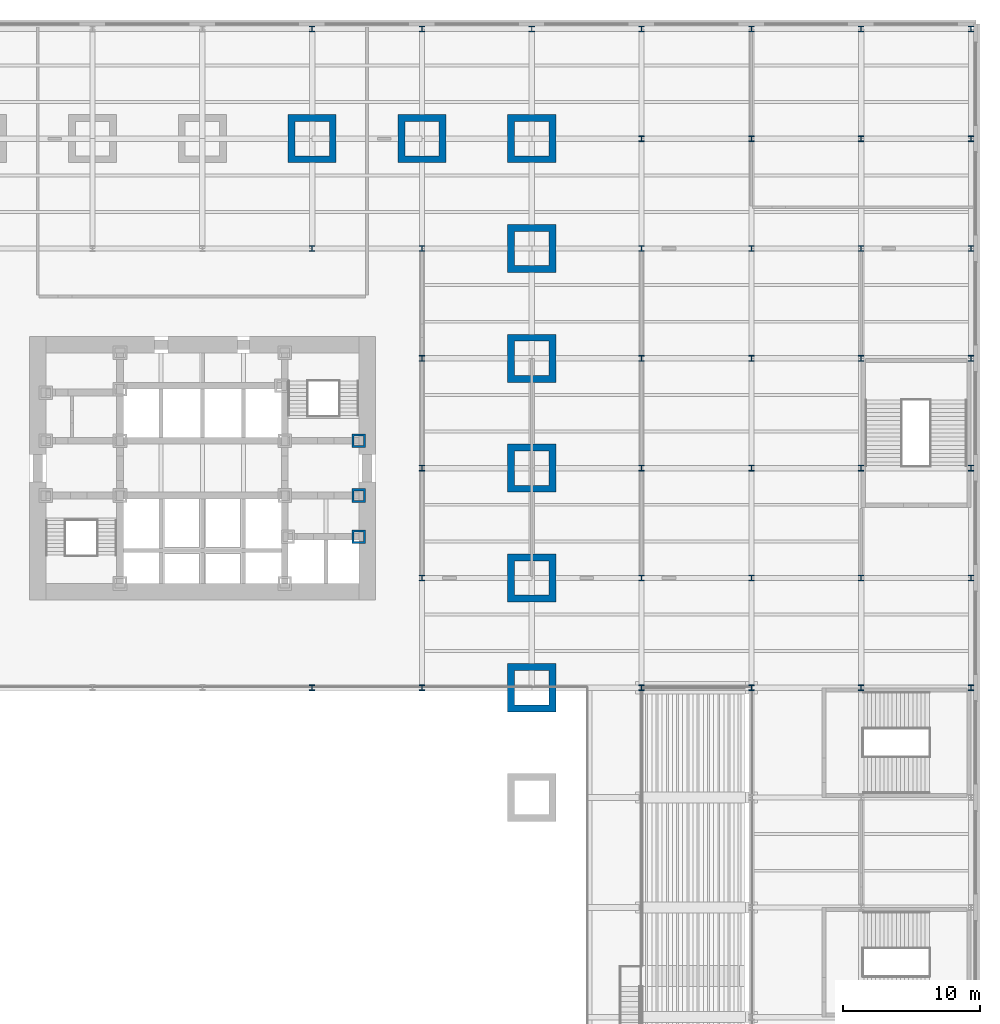
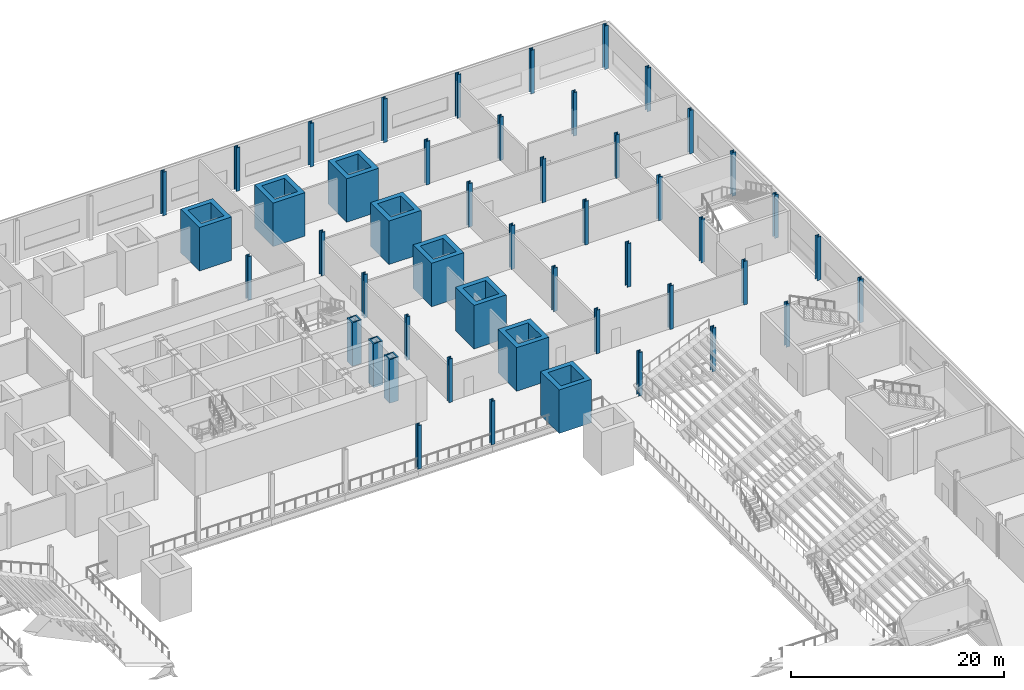
# One storey, part 6 of 27: 49 columns.
"""IFC4 building model written with IfcOpenShell, lengths in metres."""

from ifc_helpers import new_model, si_unit, direction, frame, origin, origin_2d, place, context, subcontext, project, spatial, hollow_rectangle, i_section, extrude, material, material_profile, profile_set, type_object, element, save


model = new_model("IFC4")

# Units and contexts
model_context = context("Model", 3, precision=1e-05, world=origin(), true_north=direction((0.0, 1.0)))
body_context = subcontext(model_context, "Body", "Model", "MODEL_VIEW")
ifc_project = project(units=[si_unit("LENGTHUNIT", "METRE"), si_unit("AREAUNIT", "SQUARE_METRE"), si_unit("VOLUMEUNIT", "CUBIC_METRE"), si_unit("PLANEANGLEUNIT", "RADIAN"), si_unit("MASSUNIT", "GRAM", prefix="KILO")], contexts=[model_context])

# Site, building, storey
site_placement = place(None, origin())
site = spatial("IfcSite", under=ifc_project, at=site_placement, CompositionType="ELEMENT")
building_placement = place(site_placement, origin())
building = spatial("IfcBuilding", under=site, at=building_placement, Name="Daluyong Arena Tower", CompositionType="ELEMENT")
storey_placement = place(building_placement, frame((0.0, 0.0, 14.89990234375)))
storey = spatial("IfcBuildingStorey", under=building, at=storey_placement, Name="L03", CompositionType="ELEMENT", Elevation=14.89990234375)

# Columns
ifc_material_1 = material(Name="Steel ASTM A588 Grade 50", Category="steel")
ifc_material_profile_1 = material_profile(ifc_material_1, hollow_rectangle(XDim=1.0, YDim=1.0, WallThickness=0.15, at=origin_2d()))
ifc_profile_set_1 = profile_set([ifc_material_profile_1], Name="Steel ASTM A588 Grade 50")
column_type_1 = type_object("IfcColumnType", Name="Core boundary column BX1000X150", PredefinedType="COLUMN", material=ifc_profile_set_1)
for number, where, z_axis, x_axis, name in (
    (1, (67.39990234375, 75.0, 0.0), (0.0, 0.0, 1.0), (1.0, 0.0, 0.0), "core boundary column BC1"),
    (2, (67.39990234375, 78.0, 0.0), (0.0, 0.0, 1.0), (1.0, 0.0, 0.0), "core boundary column BC1"),
    (3, (67.39990234375, 82.0, 0.0), (0.0, 0.0, 1.0), (1.0, 0.0, 0.0), "core boundary column BC1"),
):
    element("IfcColumn", number, at=place(storey_placement, frame(where, z_axis=z_axis, x_axis=x_axis)), inside=storey, type_object=column_type_1, Name=name, PredefinedType="COLUMN", context=body_context, shape_type="SweptSolid", body=[
        extrude(hollow_rectangle(XDim=1.0, YDim=1.0, WallThickness=0.15, at=origin_2d()), origin(), (0.0, 0.0, 1.0), 5.0),
    ])
ifc_material_2 = material(Name="Steel ASTM A992 Grade 50", Category="steel")
ifc_material_profile_2 = material_profile(ifc_material_2, i_section(OverallWidth=0.406494140625, OverallDepth=0.41650390625, WebThickness=0.030029296875, FlangeThickness=0.048095703125, at=origin_2d()))
ifc_profile_set_2 = profile_set([ifc_material_profile_2], Name="Steel ASTM A992 Grade 50")
column_type_2 = type_object("IfcColumnType", Name="Podium column W14X257", PredefinedType="COLUMN", material=ifc_profile_set_2)
for number, where, z_axis, x_axis, name in (
    (4, (64.0, 64.0, 0.0), (0.0, 0.0, 1.0), (1.0, 0.0, 0.0), "podium column PC2"),
    (5, (64.0, 96.0, 0.0), (0.0, 0.0, 1.0), (1.0, 0.0, 0.0), "podium column PC2"),
    (6, (64.0, 112.0, 0.0), (0.0, 0.0, 1.0), (1.0, 0.0, 0.0), "podium column PC2"),
    (7, (72.0, 64.0, 0.0), (0.0, 0.0, 1.0), (1.0, 0.0, 0.0), "podium column PC2"),
    (8, (72.0, 72.0, 0.0), (0.0, 0.0, 1.0), (1.0, 0.0, 0.0), "podium column PC2"),
    (9, (72.0, 80.0, 0.0), (0.0, 0.0, 1.0), (1.0, 0.0, 0.0), "podium column PC2"),
    (10, (72.0, 88.0, 0.0), (0.0, 0.0, 1.0), (1.0, 0.0, 0.0), "podium column PC2"),
    (11, (72.0, 96.0, 0.0), (0.0, 0.0, 1.0), (1.0, 0.0, 0.0), "podium column PC2"),
    (12, (72.0, 112.0, 0.0), (0.0, 0.0, 1.0), (1.0, 0.0, 0.0), "podium column PC2"),
    (13, (80.0, 112.0, 0.0), (0.0, 0.0, 1.0), (1.0, 0.0, 0.0), "podium column PC2"),
    (14, (88.0, 64.0, 0.0), (0.0, 0.0, 1.0), (1.0, 0.0, 0.0), "podium column PC2"),
    (15, (88.0, 72.0, 0.0), (0.0, 0.0, 1.0), (1.0, 0.0, 0.0), "podium column PC2"),
    (16, (88.0, 80.0, 0.0), (0.0, 0.0, 1.0), (1.0, 0.0, 0.0), "podium column PC2"),
    (17, (88.0, 88.0, 0.0), (0.0, 0.0, 1.0), (1.0, 0.0, 0.0), "podium column PC2"),
    (18, (88.0, 96.0, 0.0), (0.0, 0.0, 1.0), (1.0, 0.0, 0.0), "podium column PC2"),
    (19, (88.0, 104.0, 0.0), (0.0, 0.0, 1.0), (1.0, 0.0, 0.0), "podium column PC2"),
    (20, (88.0, 112.0, 0.0), (0.0, 0.0, 1.0), (1.0, 0.0, 0.0), "podium column PC2"),
    (21, (96.0, 64.0, 0.0), (0.0, 0.0, 1.0), (1.0, 0.0, 0.0), "podium column PC2"),
    (22, (96.0, 72.0, 0.0), (0.0, 0.0, 1.0), (1.0, 0.0, 0.0), "podium column PC2"),
    (23, (96.0, 80.0, 0.0), (0.0, 0.0, 1.0), (1.0, 0.0, 0.0), "podium column PC2"),
    (24, (96.0, 88.0, 0.0), (0.0, 0.0, 1.0), (1.0, 0.0, 0.0), "podium column PC2"),
    (25, (96.0, 96.0, 0.0), (0.0, 0.0, 1.0), (1.0, 0.0, 0.0), "podium column PC2"),
    (26, (96.0, 104.0, 0.0), (0.0, 0.0, 1.0), (1.0, 0.0, 0.0), "podium column PC2"),
    (27, (96.0, 112.0, 0.0), (0.0, 0.0, 1.0), (1.0, 0.0, 0.0), "podium column PC2"),
    (28, (104.0, 64.0, 0.0), (0.0, 0.0, 1.0), (1.0, 0.0, 0.0), "podium column PC2"),
    (29, (104.0, 72.0, 0.0), (0.0, 0.0, 1.0), (1.0, 0.0, 0.0), "podium column PC2"),
    (30, (104.0, 80.0, 0.0), (0.0, 0.0, 1.0), (1.0, 0.0, 0.0), "podium column PC2"),
    (31, (104.0, 88.0, 0.0), (0.0, 0.0, 1.0), (1.0, 0.0, 0.0), "podium column PC2"),
    (32, (104.0, 96.0, 0.0), (0.0, 0.0, 1.0), (1.0, 0.0, 0.0), "podium column PC2"),
    (33, (104.0, 104.0, 0.0), (0.0, 0.0, 1.0), (1.0, 0.0, 0.0), "podium column PC2"),
    (34, (104.0, 112.0, 0.0), (0.0, 0.0, 1.0), (1.0, 0.0, 0.0), "podium column PC2"),
    (35, (112.0, 64.0, 0.0), (0.0, 0.0, 1.0), (1.0, 0.0, 0.0), "podium column PC2"),
    (36, (112.0, 72.0, 0.0), (0.0, 0.0, 1.0), (1.0, 0.0, 0.0), "podium column PC2"),
    (37, (112.0, 80.0, 0.0), (0.0, 0.0, 1.0), (1.0, 0.0, 0.0), "podium column PC2"),
    (38, (112.0, 88.0, 0.0), (0.0, 0.0, 1.0), (1.0, 0.0, 0.0), "podium column PC2"),
    (39, (112.0, 96.0, 0.0), (0.0, 0.0, 1.0), (1.0, 0.0, 0.0), "podium column PC2"),
    (40, (112.0, 104.0, 0.0), (0.0, 0.0, 1.0), (1.0, 0.0, 0.0), "podium column PC2"),
    (41, (112.0, 112.0, 0.0), (0.0, 0.0, 1.0), (1.0, 0.0, 0.0), "podium column PC2"),
):
    element("IfcColumn", number, at=place(storey_placement, frame(where, z_axis=z_axis, x_axis=x_axis)), inside=storey, type_object=column_type_2, Name=name, PredefinedType="COLUMN", context=body_context, shape_type="SweptSolid", body=[
        extrude(i_section(OverallWidth=0.406494140625, OverallDepth=0.41650390625, WebThickness=0.030029296875, FlangeThickness=0.048095703125, at=origin_2d()), origin(), (0.0, 0.0, 1.0), 5.0),
    ])
ifc_material_3 = material(Name="Steel ASTM A36", Category="steel")
ifc_material_profile_3 = material_profile(ifc_material_3, hollow_rectangle(XDim=3.5, YDim=3.5, WallThickness=0.5, at=origin_2d()))
ifc_profile_set_3 = profile_set([ifc_material_profile_3], Name="Steel ASTM A36")
column_type_3 = type_object("IfcColumnType", Name="Podium megacolumn BX3500X500", PredefinedType="COLUMN", material=ifc_profile_set_3)
for number, where, z_axis, x_axis, name in (
    (42, (64.0, 104.0, 0.0), (0.0, 0.0, 1.0), (1.0, 0.0, 0.0), "podium megacolumn MC1"),
    (43, (72.0, 104.0, 0.0), (0.0, 0.0, 1.0), (1.0, 0.0, 0.0), "podium megacolumn MC1"),
    (44, (80.0, 64.0, 0.0), (0.0, 0.0, 1.0), (1.0, 0.0, 0.0), "podium megacolumn MC1"),
    (45, (80.0, 72.0, 0.0), (0.0, 0.0, 1.0), (1.0, 0.0, 0.0), "podium megacolumn MC1"),
    (46, (80.0, 80.0, 0.0), (0.0, 0.0, 1.0), (1.0, 0.0, 0.0), "podium megacolumn MC1"),
    (47, (80.0, 88.0, 0.0), (0.0, 0.0, 1.0), (1.0, 0.0, 0.0), "podium megacolumn MC1"),
    (48, (80.0, 96.0, 0.0), (0.0, 0.0, 1.0), (1.0, 0.0, 0.0), "podium megacolumn MC1"),
    (49, (80.0, 104.0, 0.0), (0.0, 0.0, 1.0), (1.0, 0.0, 0.0), "podium megacolumn MC1"),
):
    element("IfcColumn", number, at=place(storey_placement, frame(where, z_axis=z_axis, x_axis=x_axis)), inside=storey, type_object=column_type_3, Name=name, PredefinedType="COLUMN", context=body_context, shape_type="SweptSolid", body=[
        extrude(hollow_rectangle(XDim=3.5, YDim=3.5, WallThickness=0.5, at=origin_2d()), origin(), (0.0, 0.0, 1.0), 5.0),
    ])

save(model, "model.ifc")
